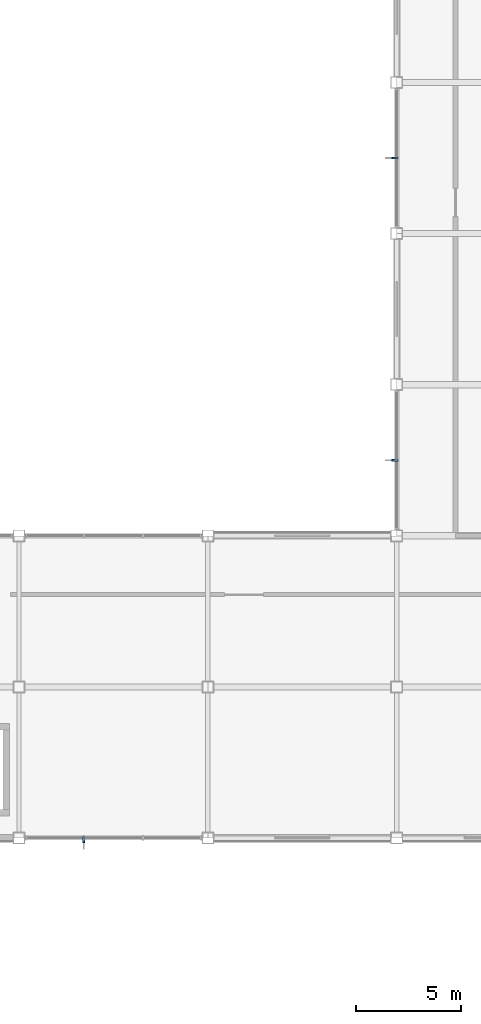
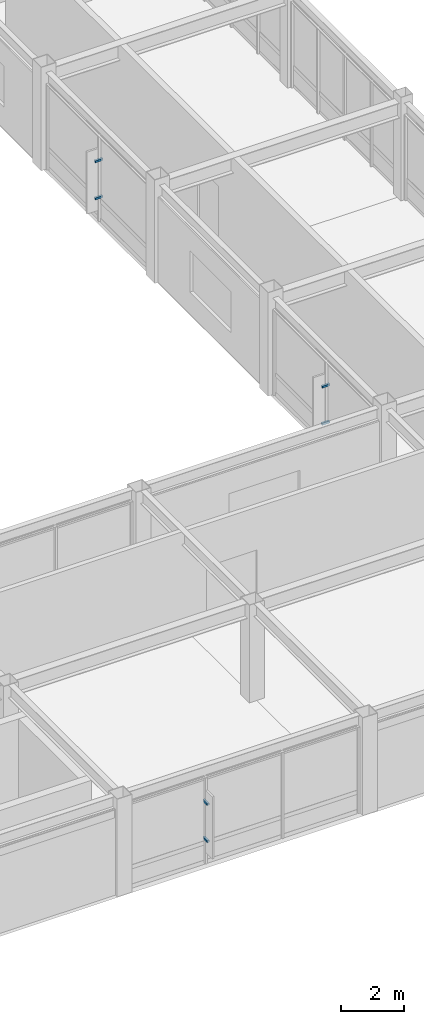
# One storey, part 103 of 113: 6 discrete accessories.
"""IFC4 building model written with IfcOpenShell, lengths in metres."""

from ifc_helpers import new_model, si_unit, direction, frame, origin, origin_2d, place, context, subcontext, project, spatial, rectangle, extrude, material, type_object, element, save


model = new_model("IFC4")

# Units and contexts
model_context = context("Model", 3, precision=1e-05, world=origin(), true_north=direction((0.0, 1.0)))
body_context = subcontext(model_context, "Body", "Model", "MODEL_VIEW")
ifc_project = project(units=[si_unit("LENGTHUNIT", "METRE"), si_unit("AREAUNIT", "SQUARE_METRE"), si_unit("VOLUMEUNIT", "CUBIC_METRE"), si_unit("PLANEANGLEUNIT", "RADIAN"), si_unit("MASSUNIT", "GRAM", prefix="KILO")], contexts=[model_context])

# Site, building, storey
site_placement = place(None, origin())
site = spatial("IfcSite", under=ifc_project, at=site_placement, CompositionType="ELEMENT")
building_placement = place(site_placement, origin())
building = spatial("IfcBuilding", under=site, at=building_placement, Name="Kazanami Central Library", CompositionType="ELEMENT")
storey_placement = place(building_placement, frame((0.0, 0.0, 8.800048828125)))
storey = spatial("IfcBuildingStorey", under=building, at=storey_placement, Name="L03", CompositionType="ELEMENT", Elevation=8.800048828125)

# Discrete accessories
ifc_material = material(Name="Stainless Steel SUS304", Category="steel")
discrete_accessory_type = type_object("IfcDiscreteAccessoryType", Name="ACC-BRK-1", PredefinedType="BRACKET", material=ifc_material)
for number, where, z_axis, x_axis, name in (
    (1, (84.091552734375, 21.510009765625, 0.905029296875), (0.0, 0.0, 1.0), (1.0, 0.0, 0.0), "Solar Fin Outrigger Bracket L03 S-D-09.1.1"),
    (2, (84.091552734375, 21.510009765625, 2.344970703125), (0.0, 0.0, 1.0), (1.0, 0.0, 0.0), "Solar Fin Outrigger Bracket L03 S-D-09.1.2"),
    (3, (98.909912109375, 39.60009765625, 0.887451171875), (0.0, 0.0, 1.0), (0.0, 1.0, 0.0), "Solar Fin Outrigger Bracket L03 W-12-05.1.1"),
    (4, (98.909912109375, 39.60009765625, 2.327392578125), (0.0, 0.0, 1.0), (0.0, 1.0, 0.0), "Solar Fin Outrigger Bracket L03 W-12-05.1.2"),
    (5, (98.909912109375, 54.0, 0.887451171875), (0.0, 0.0, 1.0), (0.0, 1.0, 0.0), "Solar Fin Outrigger Bracket L03 W-12-07.1.1"),
    (6, (98.909912109375, 54.0, 2.327392578125), (0.0, 0.0, 1.0), (0.0, 1.0, 0.0), "Solar Fin Outrigger Bracket L03 W-12-07.1.2"),
):
    element("IfcDiscreteAccessory", number, at=place(storey_placement, frame(where, z_axis=z_axis, x_axis=x_axis)), inside=storey, type_object=discrete_accessory_type, Name=name, PredefinedType="BRACKET", context=body_context, shape_type="SweptSolid", body=[
        extrude(rectangle(XDim=0.080078125, YDim=0.280029296875, at=origin_2d()), origin(), (0.0, 0.0, 1.0), 0.080078125),
    ])

save(model, "model.ifc")
